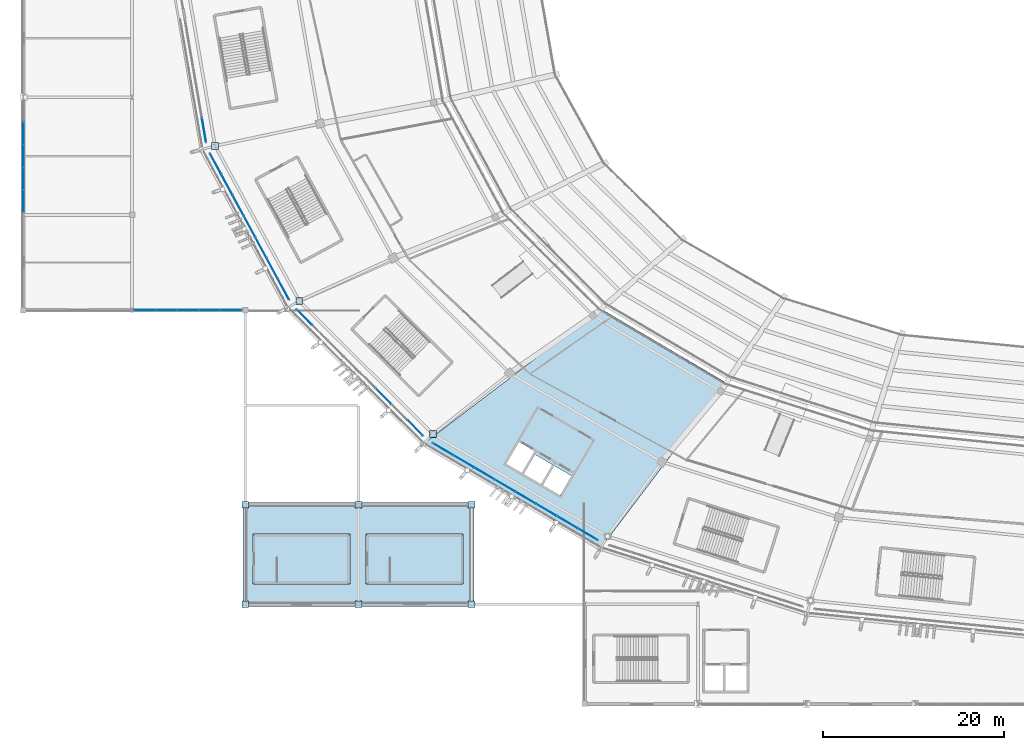
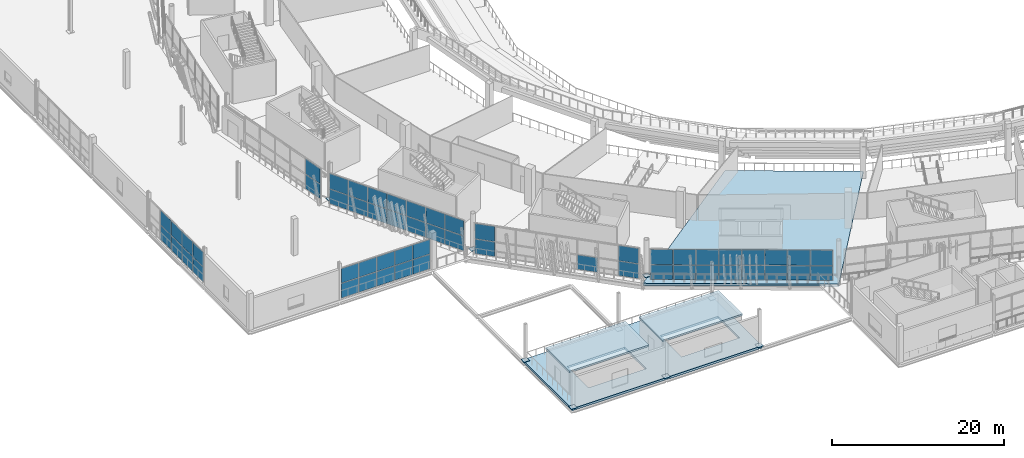
# One storey, part 89 of 178: 64 plates, 4 slabs, 6 elements without a shape of their own.
"""IFC4 building model written with IfcOpenShell, lengths in metres."""

from ifc_helpers import new_model, si_unit, direction, frame, origin, origin_2d, place, context, subcontext, project, spatial, polyline, rectangle, outline, extrude, material, layer, layer_set, type_object, element, aggregate, save


model = new_model("IFC4")

# Units and contexts
model_context = context("Model", 3, precision=1e-05, world=origin(), true_north=direction((0.0, 1.0)))
body_context = subcontext(model_context, "Body", "Model", "MODEL_VIEW")
ifc_project = project(units=[si_unit("LENGTHUNIT", "METRE"), si_unit("AREAUNIT", "SQUARE_METRE"), si_unit("VOLUMEUNIT", "CUBIC_METRE"), si_unit("PLANEANGLEUNIT", "RADIAN"), si_unit("MASSUNIT", "GRAM", prefix="KILO")], contexts=[model_context])

# Site, building, storey
site_placement = place(None, origin())
site = spatial("IfcSite", under=ifc_project, at=site_placement, CompositionType="ELEMENT")
building_placement = place(site_placement, origin())
building = spatial("IfcBuilding", under=site, at=building_placement, Name="Zlatoyarsky Gate Stadium", CompositionType="ELEMENT")
storey_placement = place(building_placement, frame((0.0, 0.0, 5.39990234375)))
storey = spatial("IfcBuildingStorey", under=building, at=storey_placement, Name="L01", CompositionType="ELEMENT", Elevation=5.39990234375)

# Curtain wall, plates
ifc_material_1 = material(Name="Thermally broken anodised aluminium curtain wall", Category="aluminium")
curtain_wall_type_1 = type_object("IfcCurtainWallType", Name="MONUMENTAL ARCHED GATE GLAZING LOWER", PredefinedType="USERDEFINED", material=ifc_material_1)
curtain_wall_1_placement = place(storey_placement, origin())
curtain_wall_1 = element("IfcCurtainWall", 1, at=curtain_wall_1_placement, inside=storey, type_object=curtain_wall_type_1, Name="Curtain wall CW-L01-12", ObjectType="ARCHED GATE GLAZING", PredefinedType="USERDEFINED")
ifc_material_2 = material(Name="Triple-glazed argon low-e architectural glass", Category="glass")
ifc_layer_1 = layer(ifc_material_2, 0.0458984375)
ifc_layer_set_1 = layer_set([ifc_layer_1], Name="Triple-glazed argon low-e architectural glass")
plate_type_1 = type_object("IfcPlateType", Name="ACOUSTIC LAMINATED GATE GLAZING PANEL 46", PredefinedType="CURTAIN_PANEL", material=ifc_layer_set_1)
plate_1_placement = place(storey_placement, frame((19.944580078125, 63.40625, 0.074951171875), z_axis=(0.0, 0.0, 1.0), x_axis=(0.169451880356, -0.985538462082, 0.0)))
plate_1 = element("IfcPlate", 2, at=plate_1_placement, type_object=plate_type_1, Name="CW-AG1 panel 5.1", PredefinedType="CURTAIN_PANEL", context=body_context, shape_type="SweptSolid", body=[
    extrude(rectangle(XDim=2.644287109375, YDim=0.0458984375, at=origin_2d()), origin(), (0.0, 0.0, 1.0), 2.03759765625),
])
plate_2_placement = place(storey_placement, frame((19.944580078125, 63.40625, 2.1875), z_axis=(0.0, 0.0, 1.0), x_axis=(0.169451880356, -0.985538462082, 0.0)))
plate_2 = element("IfcPlate", 3, at=plate_2_placement, type_object=plate_type_1, Name="CW-AG1 panel 5.2", PredefinedType="CURTAIN_PANEL", context=body_context, shape_type="SweptSolid", body=[
    extrude(rectangle(XDim=2.644287109375, YDim=0.0458984375, at=origin_2d()), origin(), (0.0, 0.0, 1.0), 2.137451171875),
])
aggregate(curtain_wall_1, [plate_1, plate_2])

# Slabs
ifc_material_3 = material(Name="Concrete C40/50", Category="concrete")
ifc_layer_2 = layer(ifc_material_3, 0.300048828125)
ifc_layer_set_2 = layer_set([ifc_layer_2], Name="Concrete C40/50")
slab_type_1 = type_object("IfcSlabType", Name="CONCRETE CONCOURSE SLAB 300", PredefinedType="FLOOR", material=ifc_layer_set_2)
slab_1_placement = place(storey_placement, frame((0.0, 0.0, -0.2998046875)))
element("IfcSlab", 4, at=slab_1_placement, inside=storey, type_object=slab_type_1, Name="L01 bowl sector 15 slab", PredefinedType="FLOOR", context=body_context, shape_type="SweptSolid", body=[
    extrude(outline(polyline([(77.60009765625, 35.486328125), (63.69580078125, 17.119140625), (44.101806640625, 28.657958984375), (63.765380859375, 43.65478515625), (77.60009765625, 35.486328125)]), holes=[polyline([(58.63037109375, 26.29541015625), (57.36669921875, 24.13818359375), (59.264892578125, 23.0263671875), (60.528564453125, 25.183349609375), (58.63037109375, 26.29541015625)]), polyline([(55.252685546875, 25.376708984375), (57.15087890625, 24.2646484375), (58.41455078125, 26.421875), (56.516357421875, 27.53369140625), (55.252685546875, 25.376708984375)]), polyline([(54.7265625, 28.929931640625), (53.311279296875, 26.513916015625), (55.037109375, 25.5029296875), (56.452392578125, 27.9189453125), (54.7265625, 28.929931640625)])]), origin(), (0.0, 0.0, 1.0), 0.2998046875),
])
slab_2_placement = place(storey_placement, frame((0.0, 0.0, -0.2998046875)))
element("IfcSlab", 5, at=slab_2_placement, inside=storey, type_object=slab_type_1, Name="L01 wing V6_SW slab", PredefinedType="FLOOR", context=body_context, shape_type="SweptSolid", body=[
    extrude(outline(polyline([(49.739990234375, 22.239990234375), (49.739990234375, 10.760009765625), (24.260009765625, 10.760009765625), (24.260009765625, 22.239990234375), (49.739990234375, 22.239990234375)]), holes=[polyline([(35.800048828125, 13.5), (35.800048828125, 18.5), (28.050048828125, 18.5), (28.050048828125, 13.5), (35.800048828125, 13.5)]), polyline([(40.550048828125, 13.5), (48.300048828125, 13.5), (48.300048828125, 18.5), (40.550048828125, 18.5), (40.550048828125, 13.5)])]), origin(), (0.0, 0.0, 1.0), 0.2998046875),
])
ifc_layer_3 = layer(ifc_material_3, 0.239990234375)
ifc_layer_set_3 = layer_set([ifc_layer_3], Name="Concrete C40/50")
slab_type_2 = type_object("IfcSlabType", Name="CONCRETE CORE TOP CAP SLAB 240", PredefinedType="ROOF", material=ifc_layer_set_3)
slab_3_placement = place(storey_placement, frame((0.0, 0.0, 3.2001953125)))
element("IfcSlab", 6, at=slab_3_placement, inside=storey, type_object=slab_type_2, Name="ST-21 stair headhouse roof cap", PredefinedType="ROOF", context=body_context, shape_type="SweptSolid", body=[
    extrude(outline(polyline([(25.35009765625, 13.25), (36.050048828125, 13.25), (36.050048828125, 18.75), (25.35009765625, 18.75), (25.35009765625, 13.25)])), origin(), (0.0, 0.0, 1.0), 0.239990234375),
])
slab_4_placement = place(storey_placement, frame((0.0, 0.0, 3.2001953125)))
element("IfcSlab", 7, at=slab_4_placement, inside=storey, type_object=slab_type_2, Name="ST-22 stair headhouse roof cap", PredefinedType="ROOF", context=body_context, shape_type="SweptSolid", body=[
    extrude(outline(polyline([(37.85009765625, 13.25), (48.550048828125, 13.25), (48.550048828125, 18.75), (37.85009765625, 18.75), (37.85009765625, 13.25)])), origin(), (0.0, 0.0, 1.0), 0.239990234375),
])

# Plates
ifc_material_4 = material(Name="Steel S355", Category="steel")
ifc_layer_4 = layer(ifc_material_4, 0.0400390625)
ifc_layer_set_4 = layer_set([ifc_layer_4], Name="Steel S355")
plate_type_2 = type_object("IfcPlateType", Name="STEEL COLUMN BASE PLATE 40", PredefinedType="USERDEFINED", material=ifc_layer_set_4)
for number, where, z_axis, x_axis, name in (
    (8, (21.1689453125, 61.623779296875, 0.0), (0.0, 0.0, 1.0), (1.0, 0.0, 0.0), "Column base plate BP-01 at RC-13 L01"),
    (9, (30.459716796875, 44.5, 0.0), (0.0, 0.0, 1.0), (1.0, 0.0, 0.0), "Column base plate BP-01 at RC-14 L01"),
    (10, (45.239013671875, 29.79541015625, 0.0), (0.0, 0.0, 1.0), (1.0, 0.0, 0.0), "Column base plate BP-01 at RC-15 L01"),
    (11, (24.5, 11.0, 0.0), (0.0, 0.0, 1.0), (1.0, 0.0, 0.0), "Column base plate BP-01 at WG-3-B L01"),
    (12, (24.5, 22.0, 0.0), (0.0, 0.0, 1.0), (1.0, 0.0, 0.0), "Column base plate BP-01 at WG-3-C L01"),
    (13, (37.0, 11.0, 0.0), (0.0, 0.0, 1.0), (1.0, 0.0, 0.0), "Column base plate BP-01 at WG-4-B L01"),
    (14, (37.0, 22.0, 0.0), (0.0, 0.0, 1.0), (1.0, 0.0, 0.0), "Column base plate BP-01 at WG-4-C L01"),
    (15, (49.5, 11.0, 0.0), (0.0, 0.0, 1.0), (1.0, 0.0, 0.0), "Column base plate BP-01 at WG-5-B L01"),
    (16, (49.5, 22.0, 0.0), (0.0, 0.0, 1.0), (1.0, 0.0, 0.0), "Column base plate BP-01 at WG-5-C L01"),
):
    element("IfcPlate", number, at=place(storey_placement, frame(where, z_axis=z_axis, x_axis=x_axis)), inside=storey, type_object=plate_type_2, Name=name, ObjectType="BASE PLATE", PredefinedType="USERDEFINED", context=body_context, shape_type="SweptSolid", body=[
        extrude(rectangle(XDim=0.75, YDim=0.75, at=origin_2d()), origin(), (0.0, 0.0, 1.0), 0.0400390625),
    ])

# Curtain wall, plates
curtain_wall_type_2 = type_object("IfcCurtainWallType", Name="UNITISED HOSPITALITY GLAZING L01", PredefinedType="USERDEFINED", material=ifc_material_1)
curtain_wall_2_placement = place(storey_placement, origin())
curtain_wall_2 = element("IfcCurtainWall", 17, at=curtain_wall_2_placement, inside=storey, type_object=curtain_wall_type_2, Name="Curtain wall CW-L01-13", ObjectType="UNITISED GLAZING", PredefinedType="USERDEFINED")
ifc_layer_5 = layer(ifc_material_2, 0.0380859375)
ifc_layer_set_5 = layer_set([ifc_layer_5], Name="Triple-glazed argon low-e architectural glass")
plate_type_3 = type_object("IfcPlateType", Name="TRIPLE GLAZED LOW E CURTAIN PANEL 38", PredefinedType="CURTAIN_PANEL", material=ifc_layer_set_5)
plate_3_placement = place(storey_placement, frame((21.234375, 59.6455078125, 0.06494140625), z_axis=(0.0, 0.0, 1.0), x_axis=(0.47578649785, -0.879560804301, 0.0)))
plate_3 = element("IfcPlate", 18, at=plate_3_placement, type_object=plate_type_3, Name="CW-UG1 panel 1.1", PredefinedType="CURTAIN_PANEL", context=body_context, shape_type="SweptSolid", body=[
    extrude(rectangle(XDim=2.53369140625, YDim=0.0380859375, at=origin_2d()), origin(), (0.0, 0.0, 1.0), 2.052490234375),
])
plate_4_placement = place(storey_placement, frame((21.234375, 59.6455078125, 2.1826171875), z_axis=(0.0, 0.0, 1.0), x_axis=(0.47578649785, -0.879560804301, 0.0)))
plate_4 = element("IfcPlate", 19, at=plate_4_placement, type_object=plate_type_3, Name="CW-UG1 panel 1.2", PredefinedType="CURTAIN_PANEL", context=body_context, shape_type="SweptSolid", body=[
    extrude(rectangle(XDim=2.53369140625, YDim=0.0380859375, at=origin_2d()), origin(), (0.0, 0.0, 1.0), 2.152587890625),
])
plate_5_placement = place(storey_placement, frame((22.478515625, 57.345703125, 0.06494140625), z_axis=(0.0, 0.0, 1.0), x_axis=(0.47578649785, -0.879560804301, 0.0)))
plate_5 = element("IfcPlate", 20, at=plate_5_placement, type_object=plate_type_3, Name="CW-UG1 panel 2.1", PredefinedType="CURTAIN_PANEL", context=body_context, shape_type="SweptSolid", body=[
    extrude(rectangle(XDim=2.566162109375, YDim=0.0380859375, at=origin_2d()), origin(), (0.0, 0.0, 1.0), 2.052490234375),
])
plate_6_placement = place(storey_placement, frame((22.478515625, 57.345703125, 2.1826171875), z_axis=(0.0, 0.0, 1.0), x_axis=(0.47578649785, -0.879560804301, 0.0)))
plate_6 = element("IfcPlate", 21, at=plate_6_placement, type_object=plate_type_3, Name="CW-UG1 panel 2.2", PredefinedType="CURTAIN_PANEL", context=body_context, shape_type="SweptSolid", body=[
    extrude(rectangle(XDim=2.566162109375, YDim=0.0380859375, at=origin_2d()), origin(), (0.0, 0.0, 1.0), 2.152587890625),
])
plate_7_placement = place(storey_placement, frame((23.730224609375, 55.031494140625, 0.06494140625), z_axis=(0.0, 0.0, 1.0), x_axis=(0.47578649785, -0.879560804301, 0.0)))
plate_7 = element("IfcPlate", 22, at=plate_7_placement, type_object=plate_type_3, Name="CW-UG1 panel 3.1", PredefinedType="CURTAIN_PANEL", context=body_context, shape_type="SweptSolid", body=[
    extrude(rectangle(XDim=2.566162109375, YDim=0.0380859375, at=origin_2d()), origin(), (0.0, 0.0, 1.0), 2.052490234375),
])
plate_8_placement = place(storey_placement, frame((23.730224609375, 55.031494140625, 2.1826171875), z_axis=(0.0, 0.0, 1.0), x_axis=(0.47578649785, -0.879560804301, 0.0)))
plate_8 = element("IfcPlate", 23, at=plate_8_placement, type_object=plate_type_3, Name="CW-UG1 panel 3.2", PredefinedType="CURTAIN_PANEL", context=body_context, shape_type="SweptSolid", body=[
    extrude(rectangle(XDim=2.566162109375, YDim=0.0380859375, at=origin_2d()), origin(), (0.0, 0.0, 1.0), 2.152587890625),
])
plate_9_placement = place(storey_placement, frame((24.982177734375, 52.71728515625, 0.06494140625), z_axis=(0.0, 0.0, 1.0), x_axis=(0.47578649785, -0.879560804301, 0.0)))
plate_9 = element("IfcPlate", 24, at=plate_9_placement, type_object=plate_type_3, Name="CW-UG1 panel 4.1", PredefinedType="CURTAIN_PANEL", context=body_context, shape_type="SweptSolid", body=[
    extrude(rectangle(XDim=2.566162109375, YDim=0.0380859375, at=origin_2d()), origin(), (0.0, 0.0, 1.0), 2.052490234375),
])
plate_10_placement = place(storey_placement, frame((24.982177734375, 52.71728515625, 2.1826171875), z_axis=(0.0, 0.0, 1.0), x_axis=(0.47578649785, -0.879560804301, 0.0)))
plate_10 = element("IfcPlate", 25, at=plate_10_placement, type_object=plate_type_3, Name="CW-UG1 panel 4.2", PredefinedType="CURTAIN_PANEL", context=body_context, shape_type="SweptSolid", body=[
    extrude(rectangle(XDim=2.566162109375, YDim=0.0380859375, at=origin_2d()), origin(), (0.0, 0.0, 1.0), 2.152587890625),
])
plate_11_placement = place(storey_placement, frame((26.23388671875, 50.403076171875, 0.06494140625), z_axis=(0.0, 0.0, 1.0), x_axis=(0.47578649785, -0.879560804301, 0.0)))
plate_11 = element("IfcPlate", 26, at=plate_11_placement, type_object=plate_type_3, Name="CW-UG1 panel 5.1", PredefinedType="CURTAIN_PANEL", context=body_context, shape_type="SweptSolid", body=[
    extrude(rectangle(XDim=2.566162109375, YDim=0.0380859375, at=origin_2d()), origin(), (0.0, 0.0, 1.0), 2.052490234375),
])
plate_12_placement = place(storey_placement, frame((26.23388671875, 50.403076171875, 2.1826171875), z_axis=(0.0, 0.0, 1.0), x_axis=(0.47578649785, -0.879560804301, 0.0)))
plate_12 = element("IfcPlate", 27, at=plate_12_placement, type_object=plate_type_3, Name="CW-UG1 panel 5.2", PredefinedType="CURTAIN_PANEL", context=body_context, shape_type="SweptSolid", body=[
    extrude(rectangle(XDim=2.566162109375, YDim=0.0380859375, at=origin_2d()), origin(), (0.0, 0.0, 1.0), 2.152587890625),
])
plate_13_placement = place(storey_placement, frame((27.48583984375, 48.0888671875, 0.06494140625), z_axis=(0.0, 0.0, 1.0), x_axis=(0.47578649785, -0.879560804301, 0.0)))
plate_13 = element("IfcPlate", 28, at=plate_13_placement, type_object=plate_type_3, Name="CW-UG1 panel 6.1", PredefinedType="CURTAIN_PANEL", context=body_context, shape_type="SweptSolid", body=[
    extrude(rectangle(XDim=2.566162109375, YDim=0.0380859375, at=origin_2d()), origin(), (0.0, 0.0, 1.0), 2.052490234375),
])
plate_14_placement = place(storey_placement, frame((27.48583984375, 48.0888671875, 2.1826171875), z_axis=(0.0, 0.0, 1.0), x_axis=(0.47578649785, -0.879560804301, 0.0)))
plate_14 = element("IfcPlate", 29, at=plate_14_placement, type_object=plate_type_3, Name="CW-UG1 panel 6.2", PredefinedType="CURTAIN_PANEL", context=body_context, shape_type="SweptSolid", body=[
    extrude(rectangle(XDim=2.566162109375, YDim=0.0380859375, at=origin_2d()), origin(), (0.0, 0.0, 1.0), 2.152587890625),
])
plate_15_placement = place(storey_placement, frame((28.72998046875, 45.788818359375, 0.06494140625), z_axis=(0.0, 0.0, 1.0), x_axis=(0.47578649785, -0.879560804301, 0.0)))
plate_15 = element("IfcPlate", 30, at=plate_15_placement, type_object=plate_type_3, Name="CW-UG1 panel 7.1", PredefinedType="CURTAIN_PANEL", context=body_context, shape_type="SweptSolid", body=[
    extrude(rectangle(XDim=2.53369140625, YDim=0.0380859375, at=origin_2d()), origin(), (0.0, 0.0, 1.0), 2.052490234375),
])
plate_16_placement = place(storey_placement, frame((28.72998046875, 45.788818359375, 2.1826171875), z_axis=(0.0, 0.0, 1.0), x_axis=(0.47578649785, -0.879560804301, 0.0)))
plate_16 = element("IfcPlate", 31, at=plate_16_placement, type_object=plate_type_3, Name="CW-UG1 panel 7.2", PredefinedType="CURTAIN_PANEL", context=body_context, shape_type="SweptSolid", body=[
    extrude(rectangle(XDim=2.53369140625, YDim=0.0380859375, at=origin_2d()), origin(), (0.0, 0.0, 1.0), 2.152587890625),
])
aggregate(curtain_wall_2, [plate_3, plate_4, plate_5, plate_6, plate_7, plate_8, plate_9, plate_10, plate_11, plate_12, plate_13, plate_14, plate_15, plate_16])

curtain_wall_3_placement = place(storey_placement, origin())
curtain_wall_3 = element("IfcCurtainWall", 32, at=curtain_wall_3_placement, inside=storey, type_object=curtain_wall_type_2, Name="Curtain wall CW-L01-14", ObjectType="UNITISED GLAZING", PredefinedType="USERDEFINED")
plate_17_placement = place(storey_placement, frame((31.019775390625, 42.701904296875, 0.06494140625), z_axis=(0.0, 0.0, 1.0), x_axis=(0.707839332176, -0.706373470498, 0.0)))
plate_17 = element("IfcPlate", 33, at=plate_17_placement, type_object=plate_type_3, Name="CW-UG1 panel 1.1", PredefinedType="CURTAIN_PANEL", context=body_context, shape_type="SweptSolid", body=[
    extrude(rectangle(XDim=2.37548828125, YDim=0.0380859375, at=origin_2d()), origin(), (0.0, 0.0, 1.0), 2.052490234375),
])
plate_18_placement = place(storey_placement, frame((31.019775390625, 42.701904296875, 2.1826171875), z_axis=(0.0, 0.0, 1.0), x_axis=(0.707839332176, -0.706373470498, 0.0)))
plate_18 = element("IfcPlate", 34, at=plate_18_placement, type_object=plate_type_3, Name="CW-UG1 panel 1.2", PredefinedType="CURTAIN_PANEL", context=body_context, shape_type="SweptSolid", body=[
    extrude(rectangle(XDim=2.37548828125, YDim=0.0380859375, at=origin_2d()), origin(), (0.0, 0.0, 1.0), 2.152587890625),
])
plate_19_placement = place(storey_placement, frame((39.760498046875, 33.979248046875, 0.06494140625), z_axis=(0.0, 0.0, 1.0), x_axis=(0.707839332176, -0.706373470498, 0.0)))
plate_19 = element("IfcPlate", 35, at=plate_19_placement, type_object=plate_type_3, Name="CW-UG1 panel 6.1", PredefinedType="CURTAIN_PANEL", context=body_context, shape_type="SweptSolid", body=[
    extrude(rectangle(XDim=2.407958984375, YDim=0.0380859375, at=origin_2d()), origin(), (0.0, 0.0, 1.0), 2.052490234375),
])
plate_20_placement = place(storey_placement, frame((43.249755859375, 30.4970703125, 0.06494140625), z_axis=(0.0, 0.0, 1.0), x_axis=(0.707839332176, -0.706373470498, 0.0)))
plate_20 = element("IfcPlate", 36, at=plate_20_placement, type_object=plate_type_3, Name="CW-UG1 panel 8.1", PredefinedType="CURTAIN_PANEL", context=body_context, shape_type="SweptSolid", body=[
    extrude(rectangle(XDim=2.37548828125, YDim=0.0380859375, at=origin_2d()), origin(), (0.0, 0.0, 1.0), 2.052490234375),
])
plate_21_placement = place(storey_placement, frame((43.249755859375, 30.4970703125, 2.1826171875), z_axis=(0.0, 0.0, 1.0), x_axis=(0.707839332176, -0.706373470498, 0.0)))
plate_21 = element("IfcPlate", 37, at=plate_21_placement, type_object=plate_type_3, Name="CW-UG1 panel 8.2", PredefinedType="CURTAIN_PANEL", context=body_context, shape_type="SweptSolid", body=[
    extrude(rectangle(XDim=2.37548828125, YDim=0.0380859375, at=origin_2d()), origin(), (0.0, 0.0, 1.0), 2.152587890625),
])
aggregate(curtain_wall_3, [plate_17, plate_18, plate_19, plate_20, plate_21])

curtain_wall_4_placement = place(storey_placement, origin())
curtain_wall_4 = element("IfcCurtainWall", 38, at=curtain_wall_4_placement, inside=storey, type_object=curtain_wall_type_2, Name="Curtain wall CW-L01-15", ObjectType="UNITISED GLAZING", PredefinedType="USERDEFINED")
plate_22_placement = place(storey_placement, frame((46.316650390625, 28.142333984375, 0.06494140625), z_axis=(0.0, 0.0, 1.0), x_axis=(0.862186850558, -0.506590401335, 0.0)))
plate_22 = element("IfcPlate", 39, at=plate_22_placement, type_object=plate_type_3, Name="CW-UG1 panel 1.1", PredefinedType="CURTAIN_PANEL", context=body_context, shape_type="SweptSolid", body=[
    extrude(rectangle(XDim=2.559814453125, YDim=0.0380859375, at=origin_2d()), origin(), (0.0, 0.0, 1.0), 2.052490234375),
])
plate_23_placement = place(storey_placement, frame((46.316650390625, 28.142333984375, 2.1826171875), z_axis=(0.0, 0.0, 1.0), x_axis=(0.862186850558, -0.506590401335, 0.0)))
plate_23 = element("IfcPlate", 40, at=plate_23_placement, type_object=plate_type_3, Name="CW-UG1 panel 1.2", PredefinedType="CURTAIN_PANEL", context=body_context, shape_type="SweptSolid", body=[
    extrude(rectangle(XDim=2.559814453125, YDim=0.0380859375, at=origin_2d()), origin(), (0.0, 0.0, 1.0), 2.152587890625),
])
plate_24_placement = place(storey_placement, frame((48.59375, 26.804443359375, 0.06494140625), z_axis=(0.0, 0.0, 1.0), x_axis=(0.862186850558, -0.506590401335, 0.0)))
plate_24 = element("IfcPlate", 41, at=plate_24_placement, type_object=plate_type_3, Name="CW-UG1 panel 2.1", PredefinedType="CURTAIN_PANEL", context=body_context, shape_type="SweptSolid", body=[
    extrude(rectangle(XDim=2.59228515625, YDim=0.0380859375, at=origin_2d()), origin(), (0.0, 0.0, 1.0), 2.052490234375),
])
plate_25_placement = place(storey_placement, frame((48.59375, 26.804443359375, 2.1826171875), z_axis=(0.0, 0.0, 1.0), x_axis=(0.862186850558, -0.506590401335, 0.0)))
plate_25 = element("IfcPlate", 42, at=plate_25_placement, type_object=plate_type_3, Name="CW-UG1 panel 2.2", PredefinedType="CURTAIN_PANEL", context=body_context, shape_type="SweptSolid", body=[
    extrude(rectangle(XDim=2.59228515625, YDim=0.0380859375, at=origin_2d()), origin(), (0.0, 0.0, 1.0), 2.152587890625),
])
plate_26_placement = place(storey_placement, frame((50.884765625, 25.45849609375, 0.06494140625), z_axis=(0.0, 0.0, 1.0), x_axis=(0.862186850558, -0.506590401335, 0.0)))
plate_26 = element("IfcPlate", 43, at=plate_26_placement, type_object=plate_type_3, Name="CW-UG1 panel 3.1", PredefinedType="CURTAIN_PANEL", context=body_context, shape_type="SweptSolid", body=[
    extrude(rectangle(XDim=2.59228515625, YDim=0.0380859375, at=origin_2d()), origin(), (0.0, 0.0, 1.0), 2.052490234375),
])
plate_27_placement = place(storey_placement, frame((50.884765625, 25.45849609375, 2.1826171875), z_axis=(0.0, 0.0, 1.0), x_axis=(0.862186850558, -0.506590401335, 0.0)))
plate_27 = element("IfcPlate", 44, at=plate_27_placement, type_object=plate_type_3, Name="CW-UG1 panel 3.2", PredefinedType="CURTAIN_PANEL", context=body_context, shape_type="SweptSolid", body=[
    extrude(rectangle(XDim=2.59228515625, YDim=0.0380859375, at=origin_2d()), origin(), (0.0, 0.0, 1.0), 2.152587890625),
])
plate_28_placement = place(storey_placement, frame((53.17578125, 24.1123046875, 0.06494140625), z_axis=(0.0, 0.0, 1.0), x_axis=(0.862186850558, -0.506590401335, 0.0)))
plate_28 = element("IfcPlate", 45, at=plate_28_placement, type_object=plate_type_3, Name="CW-UG1 panel 4.1", PredefinedType="CURTAIN_PANEL", context=body_context, shape_type="SweptSolid", body=[
    extrude(rectangle(XDim=2.59228515625, YDim=0.0380859375, at=origin_2d()), origin(), (0.0, 0.0, 1.0), 2.052490234375),
])
plate_29_placement = place(storey_placement, frame((53.17578125, 24.1123046875, 2.1826171875), z_axis=(0.0, 0.0, 1.0), x_axis=(0.862186850558, -0.506590401335, 0.0)))
plate_29 = element("IfcPlate", 46, at=plate_29_placement, type_object=plate_type_3, Name="CW-UG1 panel 4.2", PredefinedType="CURTAIN_PANEL", context=body_context, shape_type="SweptSolid", body=[
    extrude(rectangle(XDim=2.59228515625, YDim=0.0380859375, at=origin_2d()), origin(), (0.0, 0.0, 1.0), 2.152587890625),
])
plate_30_placement = place(storey_placement, frame((55.466796875, 22.76611328125, 0.06494140625), z_axis=(0.0, 0.0, 1.0), x_axis=(0.862186850558, -0.506590401335, 0.0)))
plate_30 = element("IfcPlate", 47, at=plate_30_placement, type_object=plate_type_3, Name="CW-UG1 panel 5.1", PredefinedType="CURTAIN_PANEL", context=body_context, shape_type="SweptSolid", body=[
    extrude(rectangle(XDim=2.59228515625, YDim=0.0380859375, at=origin_2d()), origin(), (0.0, 0.0, 1.0), 2.052490234375),
])
plate_31_placement = place(storey_placement, frame((55.466796875, 22.76611328125, 2.1826171875), z_axis=(0.0, 0.0, 1.0), x_axis=(0.862186850558, -0.506590401335, 0.0)))
plate_31 = element("IfcPlate", 48, at=plate_31_placement, type_object=plate_type_3, Name="CW-UG1 panel 5.2", PredefinedType="CURTAIN_PANEL", context=body_context, shape_type="SweptSolid", body=[
    extrude(rectangle(XDim=2.59228515625, YDim=0.0380859375, at=origin_2d()), origin(), (0.0, 0.0, 1.0), 2.152587890625),
])
plate_32_placement = place(storey_placement, frame((57.7578125, 21.419921875, 0.06494140625), z_axis=(0.0, 0.0, 1.0), x_axis=(0.862186850558, -0.506590401335, 0.0)))
plate_32 = element("IfcPlate", 49, at=plate_32_placement, type_object=plate_type_3, Name="CW-UG1 panel 6.1", PredefinedType="CURTAIN_PANEL", context=body_context, shape_type="SweptSolid", body=[
    extrude(rectangle(XDim=2.59228515625, YDim=0.0380859375, at=origin_2d()), origin(), (0.0, 0.0, 1.0), 2.052490234375),
])
plate_33_placement = place(storey_placement, frame((57.7578125, 21.419921875, 2.1826171875), z_axis=(0.0, 0.0, 1.0), x_axis=(0.862186850558, -0.506590401335, 0.0)))
plate_33 = element("IfcPlate", 50, at=plate_33_placement, type_object=plate_type_3, Name="CW-UG1 panel 6.2", PredefinedType="CURTAIN_PANEL", context=body_context, shape_type="SweptSolid", body=[
    extrude(rectangle(XDim=2.59228515625, YDim=0.0380859375, at=origin_2d()), origin(), (0.0, 0.0, 1.0), 2.152587890625),
])
plate_34_placement = place(storey_placement, frame((60.048828125, 20.073974609375, 0.06494140625), z_axis=(0.0, 0.0, 1.0), x_axis=(0.862186850558, -0.506590401335, 0.0)))
plate_34 = element("IfcPlate", 51, at=plate_34_placement, type_object=plate_type_3, Name="CW-UG1 panel 7.1", PredefinedType="CURTAIN_PANEL", context=body_context, shape_type="SweptSolid", body=[
    extrude(rectangle(XDim=2.59228515625, YDim=0.0380859375, at=origin_2d()), origin(), (0.0, 0.0, 1.0), 2.052490234375),
])
plate_35_placement = place(storey_placement, frame((60.048828125, 20.073974609375, 2.1826171875), z_axis=(0.0, 0.0, 1.0), x_axis=(0.862186850558, -0.506590401335, 0.0)))
plate_35 = element("IfcPlate", 52, at=plate_35_placement, type_object=plate_type_3, Name="CW-UG1 panel 7.2", PredefinedType="CURTAIN_PANEL", context=body_context, shape_type="SweptSolid", body=[
    extrude(rectangle(XDim=2.59228515625, YDim=0.0380859375, at=origin_2d()), origin(), (0.0, 0.0, 1.0), 2.152587890625),
])
plate_36_placement = place(storey_placement, frame((62.32568359375, 18.736083984375, 0.06494140625), z_axis=(0.0, 0.0, 1.0), x_axis=(0.862186850558, -0.506590401335, 0.0)))
plate_36 = element("IfcPlate", 53, at=plate_36_placement, type_object=plate_type_3, Name="CW-UG1 panel 8.1", PredefinedType="CURTAIN_PANEL", context=body_context, shape_type="SweptSolid", body=[
    extrude(rectangle(XDim=2.559814453125, YDim=0.0380859375, at=origin_2d()), origin(), (0.0, 0.0, 1.0), 2.052490234375),
])
plate_37_placement = place(storey_placement, frame((62.32568359375, 18.736083984375, 2.1826171875), z_axis=(0.0, 0.0, 1.0), x_axis=(0.862186850558, -0.506590401335, 0.0)))
plate_37 = element("IfcPlate", 54, at=plate_37_placement, type_object=plate_type_3, Name="CW-UG1 panel 8.2", PredefinedType="CURTAIN_PANEL", context=body_context, shape_type="SweptSolid", body=[
    extrude(rectangle(XDim=2.559814453125, YDim=0.0380859375, at=origin_2d()), origin(), (0.0, 0.0, 1.0), 2.152587890625),
])
aggregate(curtain_wall_4, [plate_22, plate_23, plate_24, plate_25, plate_26, plate_27, plate_28, plate_29, plate_30, plate_31, plate_32, plate_33, plate_34, plate_35, plate_36, plate_37])

curtain_wall_type_3 = type_object("IfcCurtainWallType", Name="WINTER GARDEN CONSERVATORY GLAZING", PredefinedType="USERDEFINED", material=ifc_material_1)
curtain_wall_5_placement = place(storey_placement, origin())
curtain_wall_5 = element("IfcCurtainWall", 55, at=curtain_wall_5_placement, inside=storey, type_object=curtain_wall_type_3, Name="Curtain wall CW-V4_WEST-L01-165", ObjectType="UNITISED GLAZING", PredefinedType="USERDEFINED")
plate_38_placement = place(storey_placement, frame((0.0, 55.505859375, 0.06494140625), z_axis=(0.0, 0.0, 1.0), x_axis=(0.0, 1.0, 0.0)))
plate_38 = element("IfcPlate", 56, at=plate_38_placement, type_object=plate_type_3, Name="CW-WG1 panel 1.1", PredefinedType="CURTAIN_PANEL", context=body_context, shape_type="SweptSolid", body=[
    extrude(rectangle(XDim=2.40771484375, YDim=0.0380859375, at=origin_2d()), origin(), (0.0, 0.0, 1.0), 2.052490234375),
])
plate_39_placement = place(storey_placement, frame((0.0, 55.505859375, 2.1826171875), z_axis=(0.0, 0.0, 1.0), x_axis=(0.0, 1.0, 0.0)))
plate_39 = element("IfcPlate", 57, at=plate_39_placement, type_object=plate_type_3, Name="CW-WG1 panel 1.2", PredefinedType="CURTAIN_PANEL", context=body_context, shape_type="SweptSolid", body=[
    extrude(rectangle(XDim=2.40771484375, YDim=0.0380859375, at=origin_2d()), origin(), (0.0, 0.0, 1.0), 2.052490234375),
])
plate_40_placement = place(storey_placement, frame((0.0, 57.994873046875, 0.06494140625), z_axis=(0.0, 0.0, 1.0), x_axis=(0.0, 1.0, 0.0)))
plate_40 = element("IfcPlate", 58, at=plate_40_placement, type_object=plate_type_3, Name="CW-WG1 panel 2.1", PredefinedType="CURTAIN_PANEL", context=body_context, shape_type="SweptSolid", body=[
    extrude(rectangle(XDim=2.440185546875, YDim=0.0380859375, at=origin_2d()), origin(), (0.0, 0.0, 1.0), 2.052490234375),
])
plate_41_placement = place(storey_placement, frame((0.0, 57.994873046875, 2.1826171875), z_axis=(0.0, 0.0, 1.0), x_axis=(0.0, 1.0, 0.0)))
plate_41 = element("IfcPlate", 59, at=plate_41_placement, type_object=plate_type_3, Name="CW-WG1 panel 2.2", PredefinedType="CURTAIN_PANEL", context=body_context, shape_type="SweptSolid", body=[
    extrude(rectangle(XDim=2.440185546875, YDim=0.0380859375, at=origin_2d()), origin(), (0.0, 0.0, 1.0), 2.052490234375),
])
plate_42_placement = place(storey_placement, frame((0.0, 60.5, 0.06494140625), z_axis=(0.0, 0.0, 1.0), x_axis=(0.0, 1.0, 0.0)))
plate_42 = element("IfcPlate", 60, at=plate_42_placement, type_object=plate_type_3, Name="CW-WG1 panel 3.1", PredefinedType="CURTAIN_PANEL", context=body_context, shape_type="SweptSolid", body=[
    extrude(rectangle(XDim=2.440185546875, YDim=0.0380859375, at=origin_2d()), origin(), (0.0, 0.0, 1.0), 2.052490234375),
])
plate_43_placement = place(storey_placement, frame((0.0, 60.5, 2.1826171875), z_axis=(0.0, 0.0, 1.0), x_axis=(0.0, 1.0, 0.0)))
plate_43 = element("IfcPlate", 61, at=plate_43_placement, type_object=plate_type_3, Name="CW-WG1 panel 3.2", PredefinedType="CURTAIN_PANEL", context=body_context, shape_type="SweptSolid", body=[
    extrude(rectangle(XDim=2.440185546875, YDim=0.0380859375, at=origin_2d()), origin(), (0.0, 0.0, 1.0), 2.052490234375),
])
plate_44_placement = place(storey_placement, frame((0.0, 63.005126953125, 0.06494140625), z_axis=(0.0, 0.0, 1.0), x_axis=(0.0, 1.0, 0.0)))
plate_44 = element("IfcPlate", 62, at=plate_44_placement, type_object=plate_type_3, Name="CW-WG1 panel 4.1", PredefinedType="CURTAIN_PANEL", context=body_context, shape_type="SweptSolid", body=[
    extrude(rectangle(XDim=2.440185546875, YDim=0.0380859375, at=origin_2d()), origin(), (0.0, 0.0, 1.0), 2.052490234375),
])
plate_45_placement = place(storey_placement, frame((0.0, 63.005126953125, 2.1826171875), z_axis=(0.0, 0.0, 1.0), x_axis=(0.0, 1.0, 0.0)))
plate_45 = element("IfcPlate", 63, at=plate_45_placement, type_object=plate_type_3, Name="CW-WG1 panel 4.2", PredefinedType="CURTAIN_PANEL", context=body_context, shape_type="SweptSolid", body=[
    extrude(rectangle(XDim=2.440185546875, YDim=0.0380859375, at=origin_2d()), origin(), (0.0, 0.0, 1.0), 2.052490234375),
])
aggregate(curtain_wall_5, [plate_38, plate_39, plate_40, plate_41, plate_42, plate_43, plate_44, plate_45])

curtain_wall_6_placement = place(storey_placement, origin())
curtain_wall_6 = element("IfcCurtainWall", 64, at=curtain_wall_6_placement, inside=storey, type_object=curtain_wall_type_3, Name="Curtain wall CW-V4_WEST-L01-174", ObjectType="UNITISED GLAZING", PredefinedType="USERDEFINED")
plate_46_placement = place(storey_placement, frame((13.380859375, 43.5, 0.06494140625), z_axis=(0.0, 0.0, 1.0), x_axis=(1.0, 0.0, 0.0)))
plate_46 = element("IfcPlate", 65, at=plate_46_placement, type_object=plate_type_3, Name="CW-WG1 panel 1.1", PredefinedType="CURTAIN_PANEL", context=body_context, shape_type="SweptSolid", body=[
    extrude(rectangle(XDim=2.3076171875, YDim=0.0380859375, at=origin_2d()), origin(), (0.0, 0.0, 1.0), 2.052490234375),
])
plate_47_placement = place(storey_placement, frame((13.380859375, 43.5, 2.1826171875), z_axis=(0.0, 0.0, 1.0), x_axis=(1.0, 0.0, 0.0)))
plate_47 = element("IfcPlate", 66, at=plate_47_placement, type_object=plate_type_3, Name="CW-WG1 panel 1.2", PredefinedType="CURTAIN_PANEL", context=body_context, shape_type="SweptSolid", body=[
    extrude(rectangle(XDim=2.3076171875, YDim=0.0380859375, at=origin_2d()), origin(), (0.0, 0.0, 1.0), 2.052490234375),
])
plate_48_placement = place(storey_placement, frame((15.769775390625, 43.5, 0.06494140625), z_axis=(0.0, 0.0, 1.0), x_axis=(1.0, 0.0, 0.0)))
plate_48 = element("IfcPlate", 67, at=plate_48_placement, type_object=plate_type_3, Name="CW-WG1 panel 2.1", PredefinedType="CURTAIN_PANEL", context=body_context, shape_type="SweptSolid", body=[
    extrude(rectangle(XDim=2.340087890625, YDim=0.0380859375, at=origin_2d()), origin(), (0.0, 0.0, 1.0), 2.052490234375),
])
plate_49_placement = place(storey_placement, frame((15.769775390625, 43.5, 2.1826171875), z_axis=(0.0, 0.0, 1.0), x_axis=(1.0, 0.0, 0.0)))
plate_49 = element("IfcPlate", 68, at=plate_49_placement, type_object=plate_type_3, Name="CW-WG1 panel 2.2", PredefinedType="CURTAIN_PANEL", context=body_context, shape_type="SweptSolid", body=[
    extrude(rectangle(XDim=2.340087890625, YDim=0.0380859375, at=origin_2d()), origin(), (0.0, 0.0, 1.0), 2.052490234375),
])
plate_50_placement = place(storey_placement, frame((18.175048828125, 43.5, 0.06494140625), z_axis=(0.0, 0.0, 1.0), x_axis=(1.0, 0.0, 0.0)))
plate_50 = element("IfcPlate", 69, at=plate_50_placement, type_object=plate_type_3, Name="CW-WG1 panel 3.1", PredefinedType="CURTAIN_PANEL", context=body_context, shape_type="SweptSolid", body=[
    extrude(rectangle(XDim=2.340087890625, YDim=0.0380859375, at=origin_2d()), origin(), (0.0, 0.0, 1.0), 2.052490234375),
])
plate_51_placement = place(storey_placement, frame((18.175048828125, 43.5, 2.1826171875), z_axis=(0.0, 0.0, 1.0), x_axis=(1.0, 0.0, 0.0)))
plate_51 = element("IfcPlate", 70, at=plate_51_placement, type_object=plate_type_3, Name="CW-WG1 panel 3.2", PredefinedType="CURTAIN_PANEL", context=body_context, shape_type="SweptSolid", body=[
    extrude(rectangle(XDim=2.340087890625, YDim=0.0380859375, at=origin_2d()), origin(), (0.0, 0.0, 1.0), 2.052490234375),
])
plate_52_placement = place(storey_placement, frame((20.580078125, 43.5, 0.06494140625), z_axis=(0.0, 0.0, 1.0), x_axis=(1.0, 0.0, 0.0)))
plate_52 = element("IfcPlate", 71, at=plate_52_placement, type_object=plate_type_3, Name="CW-WG1 panel 4.1", PredefinedType="CURTAIN_PANEL", context=body_context, shape_type="SweptSolid", body=[
    extrude(rectangle(XDim=2.340087890625, YDim=0.0380859375, at=origin_2d()), origin(), (0.0, 0.0, 1.0), 2.052490234375),
])
plate_53_placement = place(storey_placement, frame((20.580078125, 43.5, 2.1826171875), z_axis=(0.0, 0.0, 1.0), x_axis=(1.0, 0.0, 0.0)))
plate_53 = element("IfcPlate", 72, at=plate_53_placement, type_object=plate_type_3, Name="CW-WG1 panel 4.2", PredefinedType="CURTAIN_PANEL", context=body_context, shape_type="SweptSolid", body=[
    extrude(rectangle(XDim=2.340087890625, YDim=0.0380859375, at=origin_2d()), origin(), (0.0, 0.0, 1.0), 2.052490234375),
])
plate_54_placement = place(storey_placement, frame((22.96923828125, 43.5, 0.06494140625), z_axis=(0.0, 0.0, 1.0), x_axis=(1.0, 0.0, 0.0)))
plate_54 = element("IfcPlate", 73, at=plate_54_placement, type_object=plate_type_3, Name="CW-WG1 panel 5.1", PredefinedType="CURTAIN_PANEL", context=body_context, shape_type="SweptSolid", body=[
    extrude(rectangle(XDim=2.3076171875, YDim=0.0380859375, at=origin_2d()), origin(), (0.0, 0.0, 1.0), 2.052490234375),
])
plate_55_placement = place(storey_placement, frame((22.96923828125, 43.5, 2.1826171875), z_axis=(0.0, 0.0, 1.0), x_axis=(1.0, 0.0, 0.0)))
plate_55 = element("IfcPlate", 74, at=plate_55_placement, type_object=plate_type_3, Name="CW-WG1 panel 5.2", PredefinedType="CURTAIN_PANEL", context=body_context, shape_type="SweptSolid", body=[
    extrude(rectangle(XDim=2.3076171875, YDim=0.0380859375, at=origin_2d()), origin(), (0.0, 0.0, 1.0), 2.052490234375),
])
aggregate(curtain_wall_6, [plate_46, plate_47, plate_48, plate_49, plate_50, plate_51, plate_52, plate_53, plate_54, plate_55])

save(model, "model.ifc")
